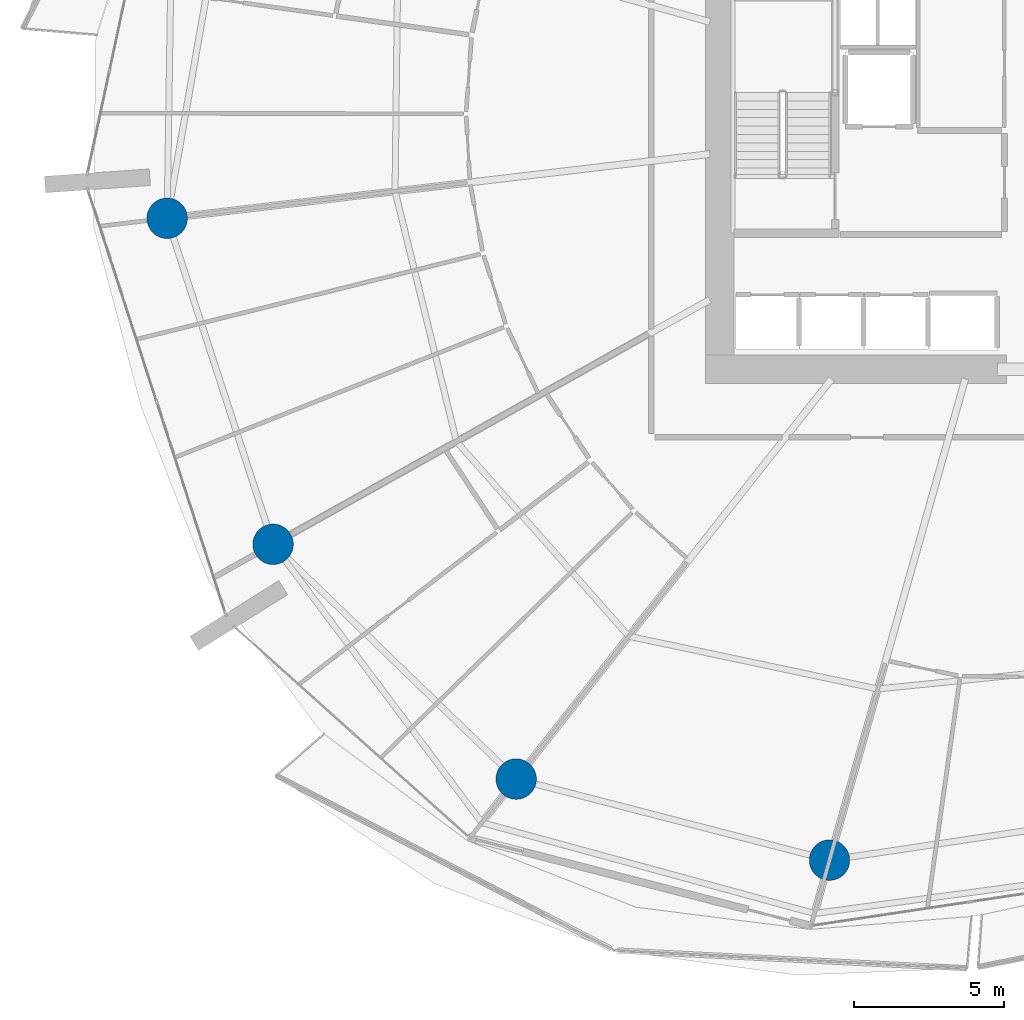
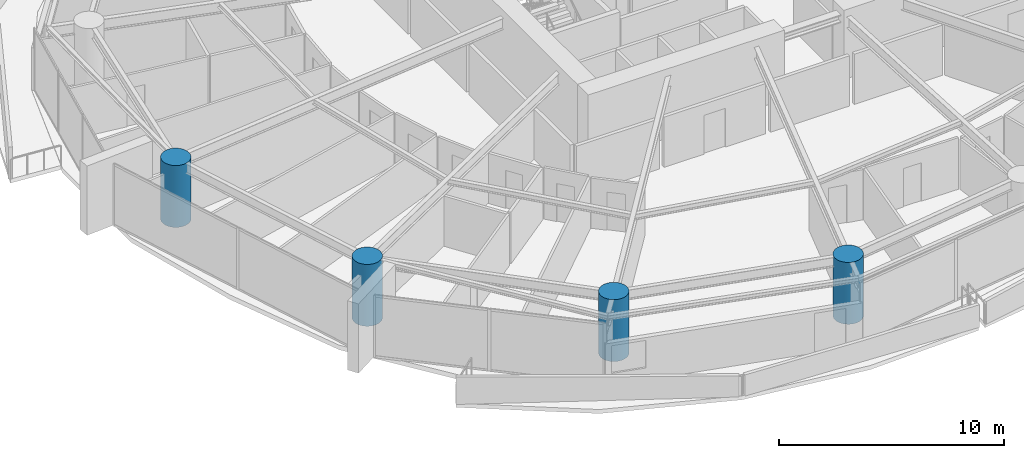
# One storey, part 1 of 31: 4 columns.
"""IFC4 building model written with IfcOpenShell, lengths in metres."""

from ifc_helpers import new_model, si_unit, direction, frame, origin, origin_2d, place, context, subcontext, project, spatial, circle, extrude, material, material_profile, profile_set, type_object, element, save


model = new_model("IFC4")

# Units and contexts
model_context = context("Model", 3, precision=1e-05, world=origin(), true_north=direction((0.0, 1.0)))
body_context = subcontext(model_context, "Body", "Model", "MODEL_VIEW")
ifc_project = project(units=[si_unit("LENGTHUNIT", "METRE"), si_unit("AREAUNIT", "SQUARE_METRE"), si_unit("VOLUMEUNIT", "CUBIC_METRE"), si_unit("PLANEANGLEUNIT", "RADIAN"), si_unit("MASSUNIT", "GRAM", prefix="KILO")], contexts=[model_context])

# Site, building, storey
site_placement = place(None, origin())
site = spatial("IfcSite", under=ifc_project, at=site_placement, CompositionType="ELEMENT")
building_placement = place(site_placement, origin())
building = spatial("IfcBuilding", under=site, at=building_placement, Name="Kazma Halo Residences", CompositionType="ELEMENT")
storey_placement = place(building_placement, frame((0.0, 0.0, 67.64990234375)))
storey = spatial("IfcBuildingStorey", under=building, at=storey_placement, Name="L16", CompositionType="ELEMENT", Elevation=67.64990234375)

# Columns
ifc_material = material(Name="Concrete C80/95", Category="concrete")
ifc_material_profile = material_profile(ifc_material, circle(Radius=0.675048828125, at=origin_2d()), Name="CIRC1350")
ifc_profile_set = profile_set([ifc_material_profile], Name="Concrete C80/95")
column_type = type_object("IfcColumnType", Name="COL-PERIM-1350", PredefinedType="COLUMN", material=ifc_profile_set)
for number, where, z_axis, x_axis, name in (
    (1, (18.902099609375, 38.555908203125, 0.0), (0.0, 0.0, 1.0), (1.0, 0.0, 0.0), "L16 perimeter ring column P08"),
    (2, (22.43505859375, 27.682861328125, 0.0), (0.0, 0.0, 1.0), (1.0, 0.0, 0.0), "L16 perimeter ring column P09"),
    (3, (30.541748046875, 19.854248046875, 0.0), (0.0, 0.0, 1.0), (1.0, 0.0, 0.0), "L16 perimeter ring column P10"),
    (4, (40.99169921875, 17.150634765625, 0.0), (0.0, 0.0, 1.0), (1.0, 0.0, 0.0), "L16 perimeter ring column P11"),
):
    element("IfcColumn", number, at=place(storey_placement, frame(where, z_axis=z_axis, x_axis=x_axis)), inside=storey, type_object=column_type, Name=name, PredefinedType="COLUMN", context=body_context, shape_type="SweptSolid", body=[
        extrude(circle(Radius=0.675048828125, at=origin_2d()), origin(), (0.0, 0.0, 1.0), 3.35009765625),
    ])

save(model, "model.ifc")
